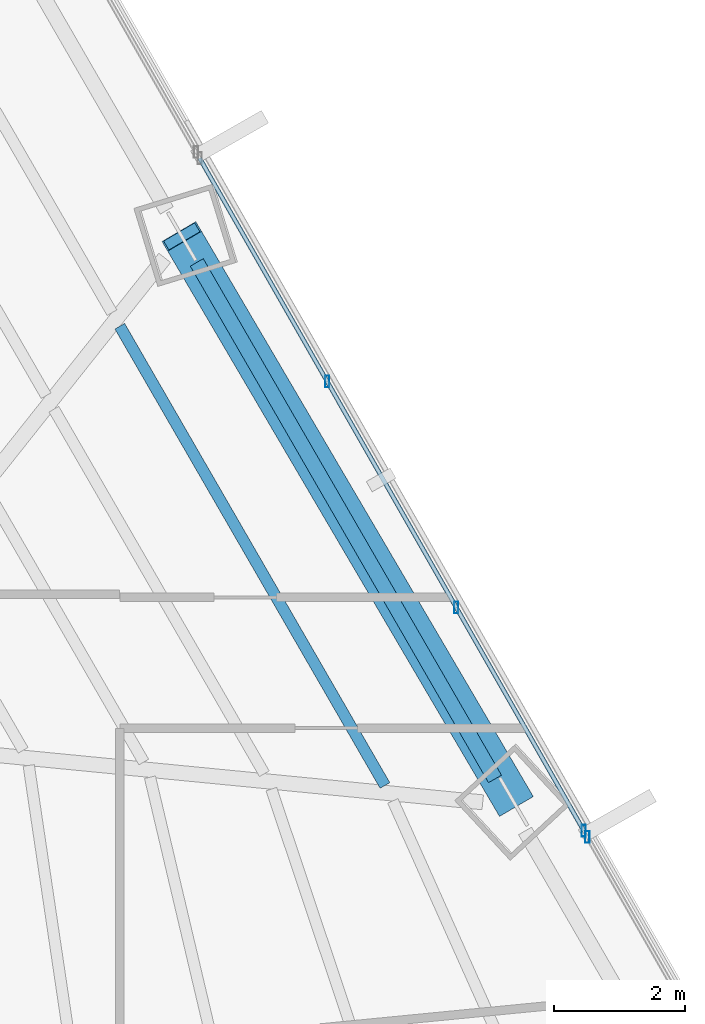
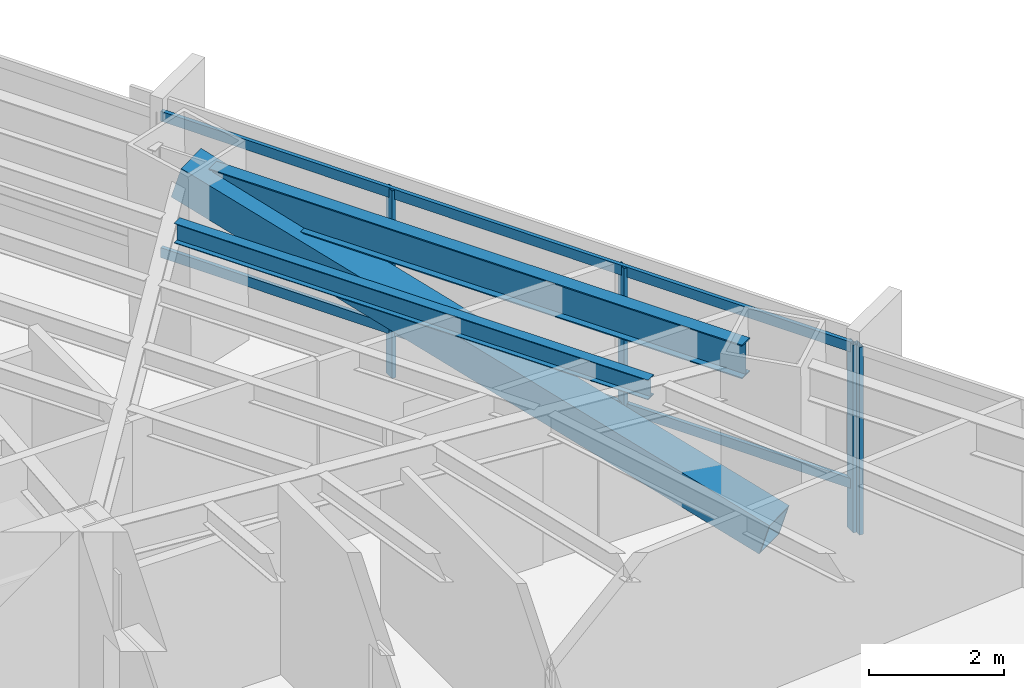
# One storey, part 21 of 34: 7 members, 2 beams, 2 elements without a shape of their own.
"""IFC4 building model written with IfcOpenShell, lengths in metres."""

from ifc_helpers import new_model, si_unit, direction, frame, origin, origin_2d, place, context, subcontext, project, spatial, hollow_rectangle, i_section, extrude, source, transform, mapped, material, material_profile, profile_set, type_object, type_shapes, element, aggregate, save


model = new_model("IFC4")

# Units and contexts
model_context = context("Model", 3, precision=1e-05, world=origin(), true_north=direction((0.0, 1.0)))
body_context = subcontext(model_context, "Body", "Model", "MODEL_VIEW")
ifc_project = project(units=[si_unit("LENGTHUNIT", "METRE"), si_unit("AREAUNIT", "SQUARE_METRE"), si_unit("VOLUMEUNIT", "CUBIC_METRE"), si_unit("PLANEANGLEUNIT", "RADIAN"), si_unit("MASSUNIT", "GRAM", prefix="KILO")], contexts=[model_context])

# Site, building, storey
site_placement = place(None, origin())
site = spatial("IfcSite", under=ifc_project, at=site_placement, CompositionType="ELEMENT")
building_placement = place(site_placement, origin())
building = spatial("IfcBuilding", under=site, at=building_placement, Name="Caelisora Broadcast Tower", CompositionType="ELEMENT")
storey_placement = place(building_placement, frame((0.0, 0.0, 56.800048828125)))
storey = spatial("IfcBuildingStorey", under=building, at=storey_placement, Name="L14", CompositionType="ELEMENT", Elevation=56.800048828125)

# Beams
ifc_material_1 = material(Name="Steel Grade 350 (AS/NZS 3679.1)", Category="steel")
ifc_material_profile_1 = material_profile(ifc_material_1, i_section(OverallWidth=0.22900390625, OverallDepth=0.611572265625, WebThickness=0.011962890625, FlangeThickness=0.01953125, at=origin_2d()), Name="Steel Grade 350 (AS/NZS 3679.1)")
ifc_profile_set_1 = profile_set([ifc_material_profile_1], Name="Steel Grade 350 (AS/NZS 3679.1)")
beam_type_1 = type_object("IfcBeamType", Name="PG03", PredefinedType="BEAM", material=ifc_profile_set_1)
shared_shape_1 = source(origin(), body_context, "Body", "SweptSolid", [
    extrude(i_section(OverallWidth=0.22900390625, OverallDepth=0.611572265625, WebThickness=0.011962890625, FlangeThickness=0.01953125, at=origin_2d()), origin(), (0.0, 0.0, 1.0), 9.1298828125),
])
type_shapes(beam_type_1, [shared_shape_1])
beam_1_placement = place(storey_placement, frame((56.3466796875, 29.3212890625, 3.09423828125), z_axis=(-0.499998679983, 0.866026165896, 0.0), x_axis=(-0.866026165896, -0.499998679983, 0.0)))
element("IfcBeam", 1, at=beam_1_placement, inside=storey, type_object=beam_type_1, Name="L14 beam PG03", PredefinedType="BEAM", context=body_context, shape_type="MappedRepresentation", body=[
    mapped(shared_shape_1, transform((0.0, 0.0, 0.0), scale=1.0)),
])
ifc_material_profile_2 = material_profile(ifc_material_1, i_section(OverallWidth=0.172119140625, OverallDepth=0.358642578125, WebThickness=0.008056640625, FlangeThickness=0.012939453125, at=origin_2d()), Name="Steel Grade 350 (AS/NZS 3679.1)")
ifc_profile_set_2 = profile_set([ifc_material_profile_2], Name="Steel Grade 350 (AS/NZS 3679.1)")
beam_type_2 = type_object("IfcBeamType", Name="SB02", PredefinedType="JOIST", material=ifc_profile_set_2)
shared_shape_2 = source(origin(), body_context, "Body", "SweptSolid", [
    extrude(i_section(OverallWidth=0.172119140625, OverallDepth=0.358642578125, WebThickness=0.008056640625, FlangeThickness=0.012939453125, at=origin_2d()), origin(), (0.0, 0.0, 1.0), 8.1181640625),
])
type_shapes(beam_type_2, [shared_shape_2])
beam_2_placement = place(storey_placement, frame((54.662109375, 29.22119140625, 3.220703125), z_axis=(-0.500023553688, 0.866011804629, 0.0), x_axis=(-0.866011804629, -0.500023553688, 0.0)))
element("IfcBeam", 2, at=beam_2_placement, inside=storey, type_object=beam_type_2, Name="L14 beam SB02", PredefinedType="JOIST", context=body_context, shape_type="MappedRepresentation", body=[
    mapped(shared_shape_2, transform((0.0, 0.0, 0.0), scale=1.0)),
])

# Member
ifc_material_2 = material(Name="Steel Grade 450 L15 (AS/NZS 3678)", Category="steel")
ifc_material_profile_3 = material_profile(ifc_material_2, hollow_rectangle(XDim=0.60009765625, YDim=0.60009765625, WallThickness=0.02490234375, at=origin_2d()), Name="Steel Grade 450 L15 (AS/NZS 3678)")
ifc_profile_set_3 = profile_set([ifc_material_profile_3], Name="Steel Grade 450 L15 (AS/NZS 3678)")
member_type_1 = type_object("IfcMemberType", Name="BR01", PredefinedType="BRACE", material=ifc_profile_set_3)
shared_shape_3 = source(origin(), body_context, "Body", "SweptSolid", [
    extrude(hollow_rectangle(XDim=0.60009765625, YDim=0.60009765625, WallThickness=0.02490234375, at=origin_2d()), origin(), (0.0, 0.0, 1.0), 10.47265625),
])
type_shapes(member_type_1, [shared_shape_3])
member_1_placement = place(storey_placement, frame((56.631103515625, 28.973388671875, 0.099853515625), z_axis=(-0.48501257665, 0.826258147282, 0.286461645848), x_axis=(-0.862399849981, -0.506227714326, 0.0)))
element("IfcMember", 3, at=member_1_placement, inside=storey, type_object=member_type_1, Name="L14 perimeter brace BR01", PredefinedType="BRACE", context=body_context, shape_type="MappedRepresentation", body=[
    mapped(shared_shape_3, transform((0.0, 0.0, 0.0), scale=1.0)),
])

# Curtain wall, members
ifc_material_3 = material(Name="Unitised Aluminium Insulated Shadow-Box Spandrel Curtain Wall", Category="aluminium")
curtain_wall_type_1 = type_object("IfcCurtainWallType", Name="CW-SP1", PredefinedType="NOTDEFINED", material=ifc_material_3)
curtain_wall_1_placement = place(storey_placement, origin())
curtain_wall_1 = element("IfcCurtainWall", 4, at=curtain_wall_1_placement, inside=storey, type_object=curtain_wall_type_1, Name="L14 curtain wall CW-SP1", PredefinedType="NOTDEFINED")
ifc_material_4 = material(Name="Aluminium 6063-T6 Anodised Terracotta Bronze", Category="aluminium")
ifc_material_profile_4 = material_profile(ifc_material_4, hollow_rectangle(XDim=0.06494140625, YDim=0.179931640625, WallThickness=0.00341796875, at=origin_2d()), Name="Aluminium 6063-T6 Anodised Terracotta Bronze")
ifc_profile_set_4 = profile_set([ifc_material_profile_4], Name="Aluminium 6063-T6 Anodised Terracotta Bronze")
member_type_2 = type_object("IfcMemberType", Name="CWM-02", PredefinedType="MULLION", material=ifc_profile_set_4)
shared_shape_4 = source(origin(), body_context, "Body", "SweptSolid", [
    extrude(hollow_rectangle(XDim=0.06494140625, YDim=0.179931640625, WallThickness=0.00341796875, at=origin_2d()), origin(), (0.0, 0.0, 1.0), 3.39990234375),
])
type_shapes(member_type_2, [shared_shape_4])
member_2_placement = place(storey_placement, frame((53.777587890625, 35.40625, 0.0), z_axis=(0.0, 0.0, 1.0), x_axis=(1.0, 0.0, 0.0)))
member_2 = element("IfcMember", 5, at=member_2_placement, type_object=member_type_2, Name="L14-CW-B02 mullion #1", PredefinedType="MULLION", context=body_context, shape_type="MappedRepresentation", body=[
    mapped(shared_shape_4, transform((0.0, 0.0, 0.0), scale=1.0)),
])
member_3_placement = place(storey_placement, frame((55.75439453125, 31.945556640625, 0.0), z_axis=(0.0, 0.0, 1.0), x_axis=(1.0, 0.0, 0.0)))
member_3 = element("IfcMember", 6, at=member_3_placement, type_object=member_type_2, Name="L14-CW-B02 mullion #2", PredefinedType="MULLION", context=body_context, shape_type="MappedRepresentation", body=[
    mapped(shared_shape_4, transform((0.0, 0.0, 0.0), scale=1.0)),
])
member_4_placement = place(storey_placement, frame((57.70654296875, 28.528076171875, 0.0), z_axis=(0.0, 0.0, 1.0), x_axis=(1.0, 0.0, 0.0)))
member_4 = element("IfcMember", 7, at=member_4_placement, type_object=member_type_2, Name="L14-CW-B02 mullion #3", PredefinedType="MULLION", context=body_context, shape_type="MappedRepresentation", body=[
    mapped(shared_shape_4, transform((0.0, 0.0, 0.0), scale=1.0)),
])

# Curtain wall, member
ifc_material_5 = material(Name="Unitised Aluminium and Low-E Glass Curtain Wall", Category="glass")
curtain_wall_type_2 = type_object("IfcCurtainWallType", Name="CW-Z1", PredefinedType="NOTDEFINED", material=ifc_material_5)
curtain_wall_2_placement = place(storey_placement, origin())
curtain_wall_2 = element("IfcCurtainWall", 8, at=curtain_wall_2_placement, inside=storey, type_object=curtain_wall_type_2, Name="L14 curtain wall CW-Z1", PredefinedType="NOTDEFINED")
member_5_placement = place(storey_placement, frame((57.760986328125, 28.4326171875, 0.0), z_axis=(0.0, 0.0, 1.0), x_axis=(1.0, 0.0, 0.0)))
member_5 = element("IfcMember", 9, at=member_5_placement, type_object=member_type_2, Name="L14-CW-B03 mullion #0", PredefinedType="MULLION", context=body_context, shape_type="MappedRepresentation", body=[
    mapped(shared_shape_4, transform((0.0, 0.0, 0.0), scale=1.0)),
])
aggregate(curtain_wall_2, [member_5])

# Member
ifc_material_profile_5 = material_profile(ifc_material_4, hollow_rectangle(XDim=0.06494140625, YDim=0.179931640625, WallThickness=0.00341796875, at=origin_2d()), Name="Aluminium 6063-T6 Anodised Terracotta Bronze")
ifc_profile_set_5 = profile_set([ifc_material_profile_5], Name="Aluminium 6063-T6 Anodised Terracotta Bronze")
member_type_3 = type_object("IfcMemberType", Name="CWT-01", PredefinedType="USERDEFINED", material=ifc_profile_set_5)
shared_shape_5 = source(origin(), body_context, "Body", "SweptSolid", [
    extrude(hollow_rectangle(XDim=0.06494140625, YDim=0.179931640625, WallThickness=0.00341796875, at=origin_2d()), origin(), (0.0, 0.0, 1.0), 11.857177734375),
])
type_shapes(member_type_3, [shared_shape_5])
member_6_placement = place(storey_placement, frame((51.8251953125, 38.82373046875, 0.849853515625), z_axis=(0.496019193399, -0.868311556862, 0.0), x_axis=(0.868311556862, 0.496019193399, 0.0)))
member_6 = element("IfcMember", 10, at=member_6_placement, type_object=member_type_3, Name="L14-CW-B02 transom #1", ObjectType="TRANSOM", PredefinedType="USERDEFINED", context=body_context, shape_type="MappedRepresentation", body=[
    mapped(shared_shape_5, transform((0.0, 0.0, 0.0), scale=1.0)),
])

member_7_placement = place(storey_placement, frame((51.8251953125, 38.82373046875, 3.320068359375), z_axis=(0.496019193399, -0.868311556862, 0.0), x_axis=(0.868311556862, 0.496019193399, 0.0)))
member_7 = element("IfcMember", 11, at=member_7_placement, type_object=member_type_3, Name="L14-CW-B02 transom #2", ObjectType="TRANSOM", PredefinedType="USERDEFINED", context=body_context, shape_type="MappedRepresentation", body=[
    mapped(shared_shape_5, transform((0.0, 0.0, 0.0), scale=1.0)),
])

aggregate(curtain_wall_1, [member_2, member_3, member_4, member_6, member_7])

save(model, "model.ifc")
